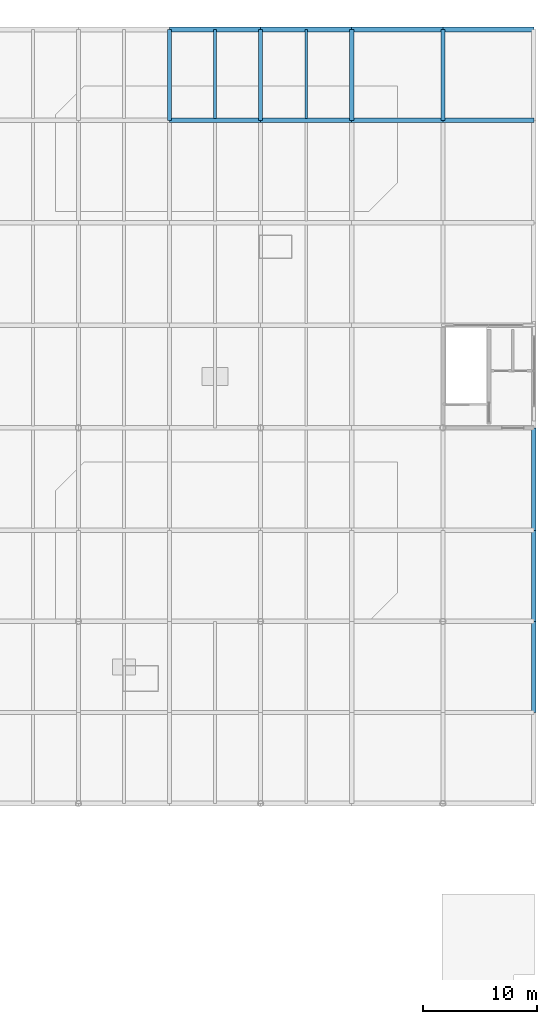
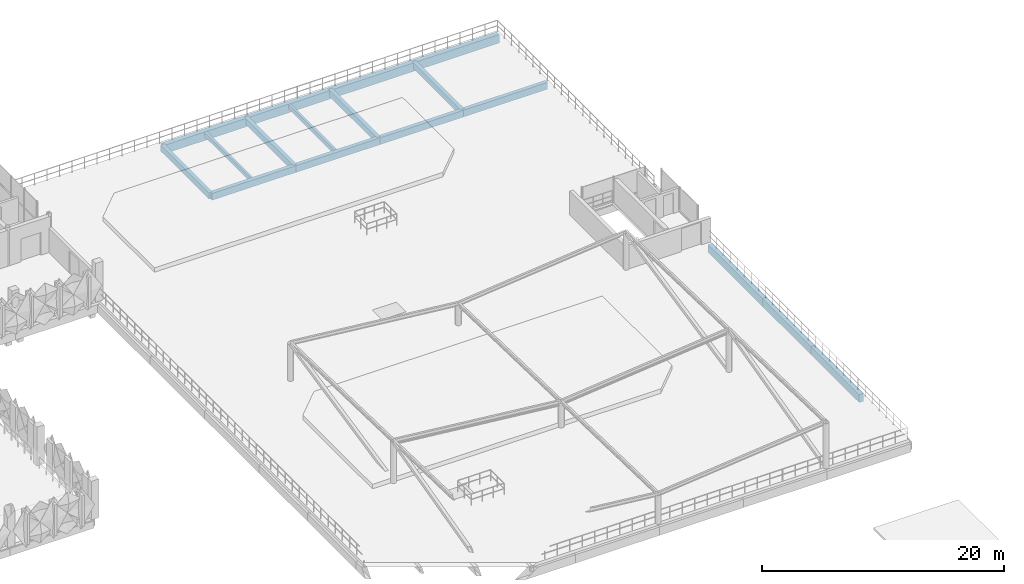
# One storey, part 19 of 52: 17 beams.
"""IFC4 building model written with IfcOpenShell, lengths in metres."""

from ifc_helpers import new_model, si_unit, derived_unit, direction, frame, origin, origin_2d, place, context, subcontext, project, spatial, rectangle, extrude, material, material_profile, profile_set, type_object, element, save


model = new_model("IFC4")

# Units and contexts
model_context = context("Model", 3, precision=1e-05, world=origin(), true_north=direction((0.0, 1.0)))
body_context = subcontext(model_context, "Body", "Model", "MODEL_VIEW")
ifc_project = project(units=[si_unit("LENGTHUNIT", "METRE"), si_unit("AREAUNIT", "SQUARE_METRE"), si_unit("VOLUMEUNIT", "CUBIC_METRE"), si_unit("PLANEANGLEUNIT", "RADIAN"), si_unit("MASSUNIT", "GRAM", prefix="KILO"), si_unit("THERMODYNAMICTEMPERATUREUNIT", "KELVIN"), derived_unit("THERMALTRANSMITTANCEUNIT", [(si_unit("POWERUNIT", "WATT"), 1), (si_unit("AREAUNIT", "SQUARE_METRE"), -1), (si_unit("THERMODYNAMICTEMPERATUREUNIT", "KELVIN"), -1)])], contexts=[model_context])

# Site, building, storey
site_placement = place(None, origin())
site = spatial("IfcSite", under=ifc_project, at=site_placement, CompositionType="ELEMENT")
building_placement = place(site_placement, origin())
building = spatial("IfcBuilding", under=site, at=building_placement, Name="Haiyu Intermodal Mobility Hub", CompositionType="ELEMENT")
storey_placement = place(building_placement, frame((0.0, 0.0, 21.199951171875)))
storey = spatial("IfcBuildingStorey", under=building, at=storey_placement, Name="L05", CompositionType="ELEMENT", Elevation=21.199951171875)

# Beams
ifc_material = material(Name="Concrete C40", Category="concrete")
ifc_material_profile_1 = material_profile(ifc_material, rectangle(XDim=0.39990234375, YDim=0.800048828125, at=origin_2d()), Name="RCB400x800")
ifc_profile_set_1 = profile_set([ifc_material_profile_1], Name="Concrete C40")
beam_type_1 = type_object("IfcBeamType", Name="BM-CB05", PredefinedType="BEAM", material=ifc_profile_set_1)
for number, where, z_axis, x_axis, name in (
    (1, (210.0, 88.0, -0.699951171875), (0.0, 1.0, 0.0), (-1.0, 0.0, 0.0), "BM-V6T-L05-050"),
    (2, (210.0, 96.0, -0.699951171875), (0.0, 1.0, 0.0), (-1.0, 0.0, 0.0), "BM-V6T-L05-051"),
):
    element("IfcBeam", number, at=place(storey_placement, frame(where, z_axis=z_axis, x_axis=x_axis)), inside=storey, type_object=beam_type_1, Name=name, PredefinedType="BEAM", context=body_context, shape_type="SweptSolid", body=[
        extrude(rectangle(XDim=0.39990234375, YDim=0.800048828125, at=origin_2d()), origin(), (0.0, 0.0, 1.0), 8.0),
    ])
beam_placement = place(storey_placement, frame((210.0, 104.0, -0.699951171875), z_axis=(0.0, 1.0, 0.0), x_axis=(-1.0, 0.0, 0.0)))
element("IfcBeam", 3, at=beam_placement, inside=storey, type_object=beam_type_1, Name="BM-V6T-L05-052", PredefinedType="BEAM", context=body_context, shape_type="SweptSolid", body=[
    extrude(rectangle(XDim=0.39990234375, YDim=0.800048828125, at=origin_2d()), origin(), (0.0, 0.0, 1.0), 9.0),
])
ifc_material_profile_2 = material_profile(ifc_material, rectangle(XDim=0.3798828125, YDim=0.679931640625, at=origin_2d()), Name="B380x680")
ifc_profile_set_2 = profile_set([ifc_material_profile_2], Name="Concrete C40")
beam_type_2 = type_object("IfcBeamType", Name="BM-CB15", PredefinedType="BEAM", material=ifc_profile_set_2)
for number, where, z_axis, x_axis, name in (
    (4, (178.0, 140.0, -0.639892578125), (1.0, 0.0, 0.0), (0.0, 1.0, 0.0), "BM-V6G-L05-045"),
    (5, (186.0, 140.0, -0.639892578125), (1.0, 0.0, 0.0), (0.0, 1.0, 0.0), "BM-V6G-L05-046"),
    (6, (194.0, 140.0, -0.639892578125), (1.0, 0.0, 0.0), (0.0, 1.0, 0.0), "BM-V6G-L05-047"),
    (7, (202.0, 140.0, -0.639892578125), (1.0, 0.0, 0.0), (0.0, 1.0, 0.0), "BM-V6G-L05-048"),
):
    element("IfcBeam", number, at=place(storey_placement, frame(where, z_axis=z_axis, x_axis=x_axis)), inside=storey, type_object=beam_type_2, Name=name, PredefinedType="BEAM", context=body_context, shape_type="SweptSolid", body=[
        extrude(rectangle(XDim=0.3798828125, YDim=0.679931640625, at=origin_2d()), origin(), (0.0, 0.0, 1.0), 8.0),
    ])
ifc_material_profile_3 = material_profile(ifc_material, rectangle(XDim=0.360107421875, YDim=0.6201171875, at=origin_2d()), Name="B360x620")
ifc_profile_set_3 = profile_set([ifc_material_profile_3], Name="Concrete C40")
beam_type_3 = type_object("IfcBeamType", Name="BM-CB16", PredefinedType="BEAM", material=ifc_profile_set_3)
for number, where, z_axis, x_axis, name in (
    (8, (178.0, 140.0, -0.60986328125), (0.0, 1.0, 0.0), (-1.0, 0.0, 0.0), "BM-V6T-L05-024"),
    (9, (186.0, 140.0, -0.60986328125), (0.0, 1.0, 0.0), (-1.0, 0.0, 0.0), "BM-V6T-L05-032"),
    (10, (194.0, 140.0, -0.60986328125), (0.0, 1.0, 0.0), (-1.0, 0.0, 0.0), "BM-V6T-L05-040"),
    (11, (202.0, 140.0, -0.60986328125), (0.0, 1.0, 0.0), (-1.0, 0.0, 0.0), "BM-V6T-L05-048"),
):
    element("IfcBeam", number, at=place(storey_placement, frame(where, z_axis=z_axis, x_axis=x_axis)), inside=storey, type_object=beam_type_3, Name=name, PredefinedType="BEAM", context=body_context, shape_type="SweptSolid", body=[
        extrude(rectangle(XDim=0.360107421875, YDim=0.6201171875, at=origin_2d()), origin(), (0.0, 0.0, 1.0), 8.0),
    ])
ifc_material_profile_4 = material_profile(ifc_material, rectangle(XDim=0.239990234375, YDim=0.43994140625, at=origin_2d()), Name="B240x440")
ifc_profile_set_4 = profile_set([ifc_material_profile_4], Name="Concrete C40")
beam_type_4 = type_object("IfcBeamType", Name="BM-CB19", PredefinedType="JOIST", material=ifc_profile_set_4)
for number, where, z_axis, x_axis, name in (
    (12, (182.0, 140.175048828125, -0.52001953125), (0.0, 1.0, 0.0), (-1.0, 0.0, 0.0), "BM-V6J-L05-022"),
    (13, (190.0, 140.175048828125, -0.52001953125), (0.0, 1.0, 0.0), (-1.0, 0.0, 0.0), "BM-V6J-L05-030"),
):
    element("IfcBeam", number, at=place(storey_placement, frame(where, z_axis=z_axis, x_axis=x_axis)), inside=storey, type_object=beam_type_4, Name=name, PredefinedType="JOIST", context=body_context, shape_type="SweptSolid", body=[
        extrude(rectangle(XDim=0.239990234375, YDim=0.43994140625, at=origin_2d()), origin(), (0.0, 0.0, 1.0), 7.824951171875),
    ])
ifc_material_profile_5 = material_profile(ifc_material, rectangle(XDim=0.43994140625, YDim=0.860107421875, at=origin_2d()), Name="B440x860")
ifc_profile_set_5 = profile_set([ifc_material_profile_5], Name="Concrete C40")
beam_type_5 = type_object("IfcBeamType", Name="BM-CB20", PredefinedType="BEAM", material=ifc_profile_set_5)
for number, where, z_axis, x_axis, name in (
    (14, (178.0, 148.0, -0.72998046875), (1.0, 0.0, 0.0), (0.0, 1.0, 0.0), "BM-V6G-L05-051"),
    (15, (186.0, 148.0, -0.72998046875), (1.0, 0.0, 0.0), (0.0, 1.0, 0.0), "BM-V6G-L05-052"),
    (16, (194.0, 148.0, -0.72998046875), (1.0, 0.0, 0.0), (0.0, 1.0, 0.0), "BM-V6G-L05-053"),
    (17, (202.0, 148.0, -0.72998046875), (1.0, 0.0, 0.0), (0.0, 1.0, 0.0), "BM-V6G-L05-054"),
):
    element("IfcBeam", number, at=place(storey_placement, frame(where, z_axis=z_axis, x_axis=x_axis)), inside=storey, type_object=beam_type_5, Name=name, PredefinedType="BEAM", context=body_context, shape_type="SweptSolid", body=[
        extrude(rectangle(XDim=0.43994140625, YDim=0.860107421875, at=origin_2d()), origin(), (0.0, 0.0, 1.0), 8.0),
    ])

save(model, "model.ifc")
